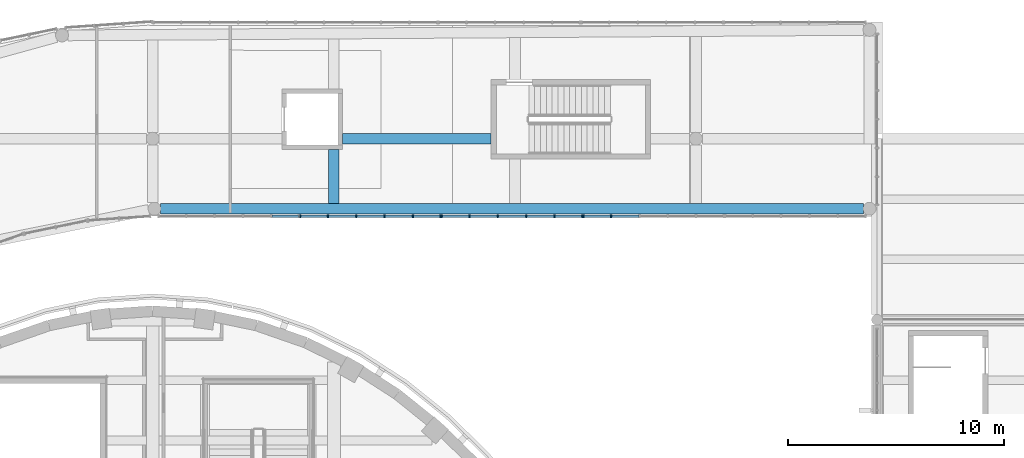
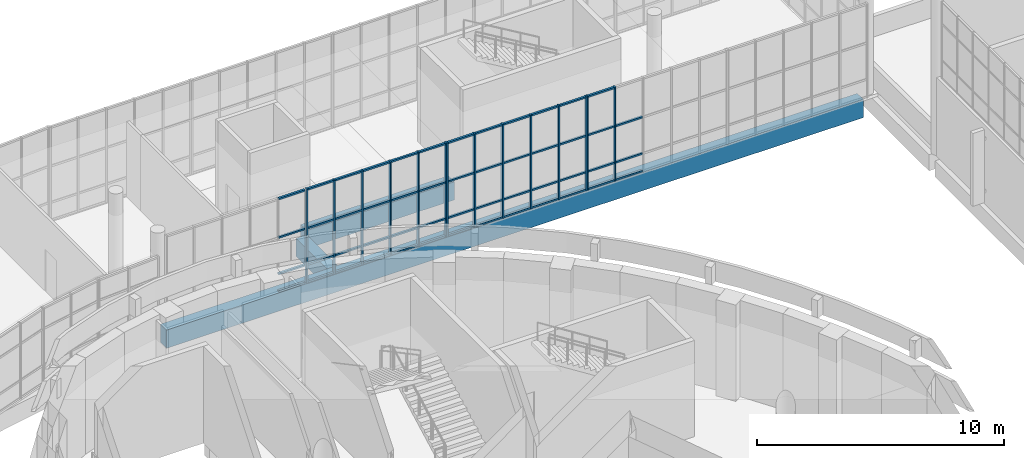
# One storey, part 30 of 119: 65 members, 3 beams, 4 elements without a shape of their own.
"""IFC4 building model written with IfcOpenShell, lengths in metres."""

from ifc_helpers import new_model, si_unit, direction, frame, origin, origin_2d, place, context, subcontext, project, spatial, rectangle, extrude, material, layer, layer_set, material_profile, profile_set, type_object, element, aggregate, save


model = new_model("IFC4")

# Units and contexts
model_context = context("Model", 3, precision=1e-05, world=origin(), true_north=direction((0.0, 1.0)))
body_context = subcontext(model_context, "Body", "Model", "MODEL_VIEW")
ifc_project = project(units=[si_unit("LENGTHUNIT", "METRE"), si_unit("AREAUNIT", "SQUARE_METRE"), si_unit("VOLUMEUNIT", "CUBIC_METRE"), si_unit("PLANEANGLEUNIT", "RADIAN"), si_unit("MASSUNIT", "GRAM", prefix="KILO")], contexts=[model_context])

# Site, building, storey
site_placement = place(None, origin())
site = spatial("IfcSite", under=ifc_project, at=site_placement, CompositionType="ELEMENT")
building_placement = place(site_placement, origin())
building = spatial("IfcBuilding", under=site, at=building_placement, Name="Larchfold Concert Hall", CompositionType="ELEMENT")
storey_placement = place(building_placement, frame((0.0, 0.0, 4.800048828125)))
storey = spatial("IfcBuildingStorey", under=building, at=storey_placement, Name="L01", CompositionType="ELEMENT", Elevation=4.800048828125)

# Curtain wall, members
ifc_material_1 = material(Name="Anodised graphite aluminium curtain wall", Category="aluminium")
ifc_layer = layer(ifc_material_1, 0.14990234375)
ifc_layer_set = layer_set([ifc_layer], Name="Anodised graphite aluminium curtain wall")
curtain_wall_type = type_object("IfcCurtainWallType", Name="Curtain wall WG", PredefinedType="NOTDEFINED", material=ifc_layer_set)
curtain_wall_1_placement = place(storey_placement, origin())
curtain_wall_1 = element("IfcCurtainWall", 1, at=curtain_wall_1_placement, inside=storey, type_object=curtain_wall_type, Name="Curtain wall CW0167", PredefinedType="NOTDEFINED")
ifc_material_2 = material(Name="Anodised graphite aluminium mullion", Category="aluminium")
ifc_material_profile_1 = material_profile(ifc_material_2, rectangle(XDim=0.14990234375, YDim=0.06005859375, at=origin_2d()))
ifc_profile_set_1 = profile_set([ifc_material_profile_1], Name="Anodised graphite aluminium mullion")
member_type_1 = type_object("IfcMemberType", Name="Aluminium mullion 60x150", PredefinedType="MULLION", material=ifc_profile_set_1)
member_1_placement = place(storey_placement, frame((49.44189453125, 123.0, 0.0), z_axis=(0.0, 0.0, 1.0), x_axis=(0.0, 1.0, 0.0)))
member_1 = element("IfcMember", 2, at=member_1_placement, type_object=member_type_1, Name="CW0167 mullion 1", PredefinedType="MULLION", context=body_context, shape_type="SweptSolid", body=[
    extrude(rectangle(XDim=0.14990234375, YDim=0.06005859375, at=origin_2d()), origin(), (0.0, 0.0, 1.0), 4.64990234375),
])
member_2_placement = place(storey_placement, frame((50.725830078125, 123.0, 0.0), z_axis=(0.0, 0.0, 1.0), x_axis=(0.0, 1.0, 0.0)))
member_2 = element("IfcMember", 3, at=member_2_placement, type_object=member_type_1, Name="CW0167 mullion 2", PredefinedType="MULLION", context=body_context, shape_type="SweptSolid", body=[
    extrude(rectangle(XDim=0.14990234375, YDim=0.06005859375, at=origin_2d()), origin(), (0.0, 0.0, 1.0), 4.64990234375),
])
member_3_placement = place(storey_placement, frame((52.039794921875, 123.0, 0.0), z_axis=(0.0, 0.0, 1.0), x_axis=(0.0, 1.0, 0.0)))
member_3 = element("IfcMember", 4, at=member_3_placement, type_object=member_type_1, Name="CW0167 mullion 3", PredefinedType="MULLION", context=body_context, shape_type="SweptSolid", body=[
    extrude(rectangle(XDim=0.14990234375, YDim=0.06005859375, at=origin_2d()), origin(), (0.0, 0.0, 1.0), 4.64990234375),
])
member_4_placement = place(storey_placement, frame((53.35400390625, 123.0, 0.0), z_axis=(0.0, 0.0, 1.0), x_axis=(0.0, 1.0, 0.0)))
member_4 = element("IfcMember", 5, at=member_4_placement, type_object=member_type_1, Name="CW0167 mullion 4", PredefinedType="MULLION", context=body_context, shape_type="SweptSolid", body=[
    extrude(rectangle(XDim=0.14990234375, YDim=0.06005859375, at=origin_2d()), origin(), (0.0, 0.0, 1.0), 4.64990234375),
])
member_5_placement = place(storey_placement, frame((54.66796875, 123.0, 0.0), z_axis=(0.0, 0.0, 1.0), x_axis=(0.0, 1.0, 0.0)))
member_5 = element("IfcMember", 6, at=member_5_placement, type_object=member_type_1, Name="CW0167 mullion 5", PredefinedType="MULLION", context=body_context, shape_type="SweptSolid", body=[
    extrude(rectangle(XDim=0.14990234375, YDim=0.06005859375, at=origin_2d()), origin(), (0.0, 0.0, 1.0), 4.64990234375),
])
member_6_placement = place(storey_placement, frame((55.951904296875, 123.0, 0.0), z_axis=(0.0, 0.0, 1.0), x_axis=(0.0, 1.0, 0.0)))
member_6 = element("IfcMember", 7, at=member_6_placement, type_object=member_type_1, Name="CW0167 mullion 6", PredefinedType="MULLION", context=body_context, shape_type="SweptSolid", body=[
    extrude(rectangle(XDim=0.14990234375, YDim=0.06005859375, at=origin_2d()), origin(), (0.0, 0.0, 1.0), 4.64990234375),
])

curtain_wall_2_placement = place(storey_placement, origin())
curtain_wall_2 = element("IfcCurtainWall", 8, at=curtain_wall_2_placement, inside=storey, type_object=curtain_wall_type, Name="Curtain wall CW0168", PredefinedType="NOTDEFINED")
member_7_placement = place(storey_placement, frame((56.011962890625, 123.0, 0.0), z_axis=(0.0, 0.0, 1.0), x_axis=(0.0, 1.0, 0.0)))
member_7 = element("IfcMember", 9, at=member_7_placement, type_object=member_type_1, Name="CW0168 mullion 1", PredefinedType="MULLION", context=body_context, shape_type="SweptSolid", body=[
    extrude(rectangle(XDim=0.14990234375, YDim=0.06005859375, at=origin_2d()), origin(), (0.0, 0.0, 1.0), 4.64990234375),
])
member_8_placement = place(storey_placement, frame((57.2958984375, 123.0, 0.0), z_axis=(0.0, 0.0, 1.0), x_axis=(0.0, 1.0, 0.0)))
member_8 = element("IfcMember", 10, at=member_8_placement, type_object=member_type_1, Name="CW0168 mullion 2", PredefinedType="MULLION", context=body_context, shape_type="SweptSolid", body=[
    extrude(rectangle(XDim=0.14990234375, YDim=0.06005859375, at=origin_2d()), origin(), (0.0, 0.0, 1.0), 4.64990234375),
])
member_9_placement = place(storey_placement, frame((58.610107421875, 123.0, 0.0), z_axis=(0.0, 0.0, 1.0), x_axis=(0.0, 1.0, 0.0)))
member_9 = element("IfcMember", 11, at=member_9_placement, type_object=member_type_1, Name="CW0168 mullion 3", PredefinedType="MULLION", context=body_context, shape_type="SweptSolid", body=[
    extrude(rectangle(XDim=0.14990234375, YDim=0.06005859375, at=origin_2d()), origin(), (0.0, 0.0, 1.0), 4.64990234375),
])
member_10_placement = place(storey_placement, frame((59.924072265625, 123.0, 0.0), z_axis=(0.0, 0.0, 1.0), x_axis=(0.0, 1.0, 0.0)))
member_10 = element("IfcMember", 12, at=member_10_placement, type_object=member_type_1, Name="CW0168 mullion 4", PredefinedType="MULLION", context=body_context, shape_type="SweptSolid", body=[
    extrude(rectangle(XDim=0.14990234375, YDim=0.06005859375, at=origin_2d()), origin(), (0.0, 0.0, 1.0), 4.64990234375),
])
member_11_placement = place(storey_placement, frame((61.23828125, 123.0, 0.0), z_axis=(0.0, 0.0, 1.0), x_axis=(0.0, 1.0, 0.0)))
member_11 = element("IfcMember", 13, at=member_11_placement, type_object=member_type_1, Name="CW0168 mullion 5", PredefinedType="MULLION", context=body_context, shape_type="SweptSolid", body=[
    extrude(rectangle(XDim=0.14990234375, YDim=0.06005859375, at=origin_2d()), origin(), (0.0, 0.0, 1.0), 4.64990234375),
])
member_12_placement = place(storey_placement, frame((62.522216796875, 123.0, 0.0), z_axis=(0.0, 0.0, 1.0), x_axis=(0.0, 1.0, 0.0)))
member_12 = element("IfcMember", 14, at=member_12_placement, type_object=member_type_1, Name="CW0168 mullion 6", PredefinedType="MULLION", context=body_context, shape_type="SweptSolid", body=[
    extrude(rectangle(XDim=0.14990234375, YDim=0.06005859375, at=origin_2d()), origin(), (0.0, 0.0, 1.0), 4.64990234375),
])

curtain_wall_3_placement = place(storey_placement, origin())
curtain_wall_3 = element("IfcCurtainWall", 15, at=curtain_wall_3_placement, inside=storey, type_object=curtain_wall_type, Name="Curtain wall CW0169", PredefinedType="NOTDEFINED")
member_13_placement = place(storey_placement, frame((62.582275390625, 123.0, 0.0), z_axis=(0.0, 0.0, 1.0), x_axis=(0.0, 1.0, 0.0)))
member_13 = element("IfcMember", 16, at=member_13_placement, type_object=member_type_1, Name="CW0169 mullion 1", PredefinedType="MULLION", context=body_context, shape_type="SweptSolid", body=[
    extrude(rectangle(XDim=0.14990234375, YDim=0.06005859375, at=origin_2d()), origin(), (0.0, 0.0, 1.0), 4.64990234375),
])
member_14_placement = place(storey_placement, frame((63.8662109375, 123.0, 0.0), z_axis=(0.0, 0.0, 1.0), x_axis=(0.0, 1.0, 0.0)))
member_14 = element("IfcMember", 17, at=member_14_placement, type_object=member_type_1, Name="CW0169 mullion 2", PredefinedType="MULLION", context=body_context, shape_type="SweptSolid", body=[
    extrude(rectangle(XDim=0.14990234375, YDim=0.06005859375, at=origin_2d()), origin(), (0.0, 0.0, 1.0), 4.64990234375),
])

curtain_wall_4_placement = place(storey_placement, origin())
curtain_wall_4 = element("IfcCurtainWall", 18, at=curtain_wall_4_placement, inside=storey, type_object=curtain_wall_type, Name="Curtain wall CW0166", PredefinedType="NOTDEFINED")
ifc_material_3 = material(Name="Anodised graphite aluminium transom", Category="aluminium")
ifc_material_profile_2 = material_profile(ifc_material_3, rectangle(XDim=0.10009765625, YDim=0.080078125, at=origin_2d()))
ifc_profile_set_2 = profile_set([ifc_material_profile_2], Name="Anodised graphite aluminium transom")
member_type_2 = type_object("IfcMemberType", Name="Aluminium transom 80x100", PredefinedType="USERDEFINED", material=ifc_profile_set_2)
member_15_placement = place(storey_placement, frame((48.127685546875, 123.0, 0.0400390625), z_axis=(1.0, 0.0, 0.0), x_axis=(0.0, 1.0, 0.0)))
member_15 = element("IfcMember", 19, at=member_15_placement, type_object=member_type_2, Name="CW0166 transom 5.1", ObjectType="TRANSOM", PredefinedType="USERDEFINED", context=body_context, shape_type="SweptSolid", body=[
    extrude(rectangle(XDim=0.10009765625, YDim=0.080078125, at=origin_2d()), origin(), (0.0, 0.0, 1.0), 1.22412109375),
])
member_16_placement = place(storey_placement, frame((48.127685546875, 123.0, 0.89990234375), z_axis=(1.0, 0.0, 0.0), x_axis=(0.0, 1.0, 0.0)))
member_16 = element("IfcMember", 20, at=member_16_placement, type_object=member_type_2, Name="CW0166 transom 5.2", ObjectType="TRANSOM", PredefinedType="USERDEFINED", context=body_context, shape_type="SweptSolid", body=[
    extrude(rectangle(XDim=0.10009765625, YDim=0.080078125, at=origin_2d()), origin(), (0.0, 0.0, 1.0), 1.22412109375),
])
member_17_placement = place(storey_placement, frame((48.127685546875, 123.0, 2.699951171875), z_axis=(1.0, 0.0, 0.0), x_axis=(0.0, 1.0, 0.0)))
member_17 = element("IfcMember", 21, at=member_17_placement, type_object=member_type_2, Name="CW0166 transom 5.3", ObjectType="TRANSOM", PredefinedType="USERDEFINED", context=body_context, shape_type="SweptSolid", body=[
    extrude(rectangle(XDim=0.10009765625, YDim=0.080078125, at=origin_2d()), origin(), (0.0, 0.0, 1.0), 1.22412109375),
])
member_18_placement = place(storey_placement, frame((48.127685546875, 123.0, 4.60986328125), z_axis=(1.0, 0.0, 0.0), x_axis=(0.0, 1.0, 0.0)))
member_18 = element("IfcMember", 22, at=member_18_placement, type_object=member_type_2, Name="CW0166 transom 5.4", ObjectType="TRANSOM", PredefinedType="USERDEFINED", context=body_context, shape_type="SweptSolid", body=[
    extrude(rectangle(XDim=0.10009765625, YDim=0.080078125, at=origin_2d()), origin(), (0.0, 0.0, 1.0), 1.22412109375),
])
aggregate(curtain_wall_4, [member_15, member_16, member_17, member_18])

# Member
member_19_placement = place(storey_placement, frame((49.471923828125, 123.0, 0.0400390625), z_axis=(1.0, 0.0, 0.0), x_axis=(0.0, 1.0, 0.0)))
member_19 = element("IfcMember", 23, at=member_19_placement, type_object=member_type_2, Name="CW0167 transom 1.1", ObjectType="TRANSOM", PredefinedType="USERDEFINED", context=body_context, shape_type="SweptSolid", body=[
    extrude(rectangle(XDim=0.10009765625, YDim=0.080078125, at=origin_2d()), origin(), (0.0, 0.0, 1.0), 1.223876953125),
])

member_20_placement = place(storey_placement, frame((49.471923828125, 123.0, 0.89990234375), z_axis=(1.0, 0.0, 0.0), x_axis=(0.0, 1.0, 0.0)))
member_20 = element("IfcMember", 24, at=member_20_placement, type_object=member_type_2, Name="CW0167 transom 1.2", ObjectType="TRANSOM", PredefinedType="USERDEFINED", context=body_context, shape_type="SweptSolid", body=[
    extrude(rectangle(XDim=0.10009765625, YDim=0.080078125, at=origin_2d()), origin(), (0.0, 0.0, 1.0), 1.223876953125),
])

member_21_placement = place(storey_placement, frame((49.471923828125, 123.0, 2.699951171875), z_axis=(1.0, 0.0, 0.0), x_axis=(0.0, 1.0, 0.0)))
member_21 = element("IfcMember", 25, at=member_21_placement, type_object=member_type_2, Name="CW0167 transom 1.3", ObjectType="TRANSOM", PredefinedType="USERDEFINED", context=body_context, shape_type="SweptSolid", body=[
    extrude(rectangle(XDim=0.10009765625, YDim=0.080078125, at=origin_2d()), origin(), (0.0, 0.0, 1.0), 1.223876953125),
])

member_22_placement = place(storey_placement, frame((49.471923828125, 123.0, 4.60986328125), z_axis=(1.0, 0.0, 0.0), x_axis=(0.0, 1.0, 0.0)))
member_22 = element("IfcMember", 26, at=member_22_placement, type_object=member_type_2, Name="CW0167 transom 1.4", ObjectType="TRANSOM", PredefinedType="USERDEFINED", context=body_context, shape_type="SweptSolid", body=[
    extrude(rectangle(XDim=0.10009765625, YDim=0.080078125, at=origin_2d()), origin(), (0.0, 0.0, 1.0), 1.223876953125),
])

member_23_placement = place(storey_placement, frame((50.755859375, 123.0, 0.0400390625), z_axis=(1.0, 0.0, 0.0), x_axis=(0.0, 1.0, 0.0)))
member_23 = element("IfcMember", 27, at=member_23_placement, type_object=member_type_2, Name="CW0167 transom 2.1", ObjectType="TRANSOM", PredefinedType="USERDEFINED", context=body_context, shape_type="SweptSolid", body=[
    extrude(rectangle(XDim=0.10009765625, YDim=0.080078125, at=origin_2d()), origin(), (0.0, 0.0, 1.0), 1.254150390625),
])

member_24_placement = place(storey_placement, frame((50.755859375, 123.0, 0.89990234375), z_axis=(1.0, 0.0, 0.0), x_axis=(0.0, 1.0, 0.0)))
member_24 = element("IfcMember", 28, at=member_24_placement, type_object=member_type_2, Name="CW0167 transom 2.2", ObjectType="TRANSOM", PredefinedType="USERDEFINED", context=body_context, shape_type="SweptSolid", body=[
    extrude(rectangle(XDim=0.10009765625, YDim=0.080078125, at=origin_2d()), origin(), (0.0, 0.0, 1.0), 1.254150390625),
])

member_25_placement = place(storey_placement, frame((50.755859375, 123.0, 2.699951171875), z_axis=(1.0, 0.0, 0.0), x_axis=(0.0, 1.0, 0.0)))
member_25 = element("IfcMember", 29, at=member_25_placement, type_object=member_type_2, Name="CW0167 transom 2.3", ObjectType="TRANSOM", PredefinedType="USERDEFINED", context=body_context, shape_type="SweptSolid", body=[
    extrude(rectangle(XDim=0.10009765625, YDim=0.080078125, at=origin_2d()), origin(), (0.0, 0.0, 1.0), 1.254150390625),
])

member_26_placement = place(storey_placement, frame((50.755859375, 123.0, 4.60986328125), z_axis=(1.0, 0.0, 0.0), x_axis=(0.0, 1.0, 0.0)))
member_26 = element("IfcMember", 30, at=member_26_placement, type_object=member_type_2, Name="CW0167 transom 2.4", ObjectType="TRANSOM", PredefinedType="USERDEFINED", context=body_context, shape_type="SweptSolid", body=[
    extrude(rectangle(XDim=0.10009765625, YDim=0.080078125, at=origin_2d()), origin(), (0.0, 0.0, 1.0), 1.254150390625),
])

member_27_placement = place(storey_placement, frame((52.06982421875, 123.0, 0.0400390625), z_axis=(1.0, 0.0, 0.0), x_axis=(0.0, 1.0, 0.0)))
member_27 = element("IfcMember", 31, at=member_27_placement, type_object=member_type_2, Name="CW0167 transom 3.1", ObjectType="TRANSOM", PredefinedType="USERDEFINED", context=body_context, shape_type="SweptSolid", body=[
    extrude(rectangle(XDim=0.10009765625, YDim=0.080078125, at=origin_2d()), origin(), (0.0, 0.0, 1.0), 1.254150390625),
])

member_28_placement = place(storey_placement, frame((52.06982421875, 123.0, 0.89990234375), z_axis=(1.0, 0.0, 0.0), x_axis=(0.0, 1.0, 0.0)))
member_28 = element("IfcMember", 32, at=member_28_placement, type_object=member_type_2, Name="CW0167 transom 3.2", ObjectType="TRANSOM", PredefinedType="USERDEFINED", context=body_context, shape_type="SweptSolid", body=[
    extrude(rectangle(XDim=0.10009765625, YDim=0.080078125, at=origin_2d()), origin(), (0.0, 0.0, 1.0), 1.254150390625),
])

member_29_placement = place(storey_placement, frame((52.06982421875, 123.0, 2.699951171875), z_axis=(1.0, 0.0, 0.0), x_axis=(0.0, 1.0, 0.0)))
member_29 = element("IfcMember", 33, at=member_29_placement, type_object=member_type_2, Name="CW0167 transom 3.3", ObjectType="TRANSOM", PredefinedType="USERDEFINED", context=body_context, shape_type="SweptSolid", body=[
    extrude(rectangle(XDim=0.10009765625, YDim=0.080078125, at=origin_2d()), origin(), (0.0, 0.0, 1.0), 1.254150390625),
])

member_30_placement = place(storey_placement, frame((52.06982421875, 123.0, 4.60986328125), z_axis=(1.0, 0.0, 0.0), x_axis=(0.0, 1.0, 0.0)))
member_30 = element("IfcMember", 34, at=member_30_placement, type_object=member_type_2, Name="CW0167 transom 3.4", ObjectType="TRANSOM", PredefinedType="USERDEFINED", context=body_context, shape_type="SweptSolid", body=[
    extrude(rectangle(XDim=0.10009765625, YDim=0.080078125, at=origin_2d()), origin(), (0.0, 0.0, 1.0), 1.254150390625),
])

member_31_placement = place(storey_placement, frame((53.3837890625, 123.0, 0.0400390625), z_axis=(1.0, 0.0, 0.0), x_axis=(0.0, 1.0, 0.0)))
member_31 = element("IfcMember", 35, at=member_31_placement, type_object=member_type_2, Name="CW0167 transom 4.1", ObjectType="TRANSOM", PredefinedType="USERDEFINED", context=body_context, shape_type="SweptSolid", body=[
    extrude(rectangle(XDim=0.10009765625, YDim=0.080078125, at=origin_2d()), origin(), (0.0, 0.0, 1.0), 1.254150390625),
])

member_32_placement = place(storey_placement, frame((53.3837890625, 123.0, 0.89990234375), z_axis=(1.0, 0.0, 0.0), x_axis=(0.0, 1.0, 0.0)))
member_32 = element("IfcMember", 36, at=member_32_placement, type_object=member_type_2, Name="CW0167 transom 4.2", ObjectType="TRANSOM", PredefinedType="USERDEFINED", context=body_context, shape_type="SweptSolid", body=[
    extrude(rectangle(XDim=0.10009765625, YDim=0.080078125, at=origin_2d()), origin(), (0.0, 0.0, 1.0), 1.254150390625),
])

member_33_placement = place(storey_placement, frame((53.3837890625, 123.0, 2.699951171875), z_axis=(1.0, 0.0, 0.0), x_axis=(0.0, 1.0, 0.0)))
member_33 = element("IfcMember", 37, at=member_33_placement, type_object=member_type_2, Name="CW0167 transom 4.3", ObjectType="TRANSOM", PredefinedType="USERDEFINED", context=body_context, shape_type="SweptSolid", body=[
    extrude(rectangle(XDim=0.10009765625, YDim=0.080078125, at=origin_2d()), origin(), (0.0, 0.0, 1.0), 1.254150390625),
])

member_34_placement = place(storey_placement, frame((53.3837890625, 123.0, 4.60986328125), z_axis=(1.0, 0.0, 0.0), x_axis=(0.0, 1.0, 0.0)))
member_34 = element("IfcMember", 38, at=member_34_placement, type_object=member_type_2, Name="CW0167 transom 4.4", ObjectType="TRANSOM", PredefinedType="USERDEFINED", context=body_context, shape_type="SweptSolid", body=[
    extrude(rectangle(XDim=0.10009765625, YDim=0.080078125, at=origin_2d()), origin(), (0.0, 0.0, 1.0), 1.254150390625),
])

member_35_placement = place(storey_placement, frame((54.697998046875, 123.0, 0.0400390625), z_axis=(1.0, 0.0, 0.0), x_axis=(0.0, 1.0, 0.0)))
member_35 = element("IfcMember", 39, at=member_35_placement, type_object=member_type_2, Name="CW0167 transom 5.1", ObjectType="TRANSOM", PredefinedType="USERDEFINED", context=body_context, shape_type="SweptSolid", body=[
    extrude(rectangle(XDim=0.10009765625, YDim=0.080078125, at=origin_2d()), origin(), (0.0, 0.0, 1.0), 1.223876953125),
])

member_36_placement = place(storey_placement, frame((54.697998046875, 123.0, 0.89990234375), z_axis=(1.0, 0.0, 0.0), x_axis=(0.0, 1.0, 0.0)))
member_36 = element("IfcMember", 40, at=member_36_placement, type_object=member_type_2, Name="CW0167 transom 5.2", ObjectType="TRANSOM", PredefinedType="USERDEFINED", context=body_context, shape_type="SweptSolid", body=[
    extrude(rectangle(XDim=0.10009765625, YDim=0.080078125, at=origin_2d()), origin(), (0.0, 0.0, 1.0), 1.223876953125),
])

member_37_placement = place(storey_placement, frame((54.697998046875, 123.0, 2.699951171875), z_axis=(1.0, 0.0, 0.0), x_axis=(0.0, 1.0, 0.0)))
member_37 = element("IfcMember", 41, at=member_37_placement, type_object=member_type_2, Name="CW0167 transom 5.3", ObjectType="TRANSOM", PredefinedType="USERDEFINED", context=body_context, shape_type="SweptSolid", body=[
    extrude(rectangle(XDim=0.10009765625, YDim=0.080078125, at=origin_2d()), origin(), (0.0, 0.0, 1.0), 1.223876953125),
])

member_38_placement = place(storey_placement, frame((54.697998046875, 123.0, 4.60986328125), z_axis=(1.0, 0.0, 0.0), x_axis=(0.0, 1.0, 0.0)))
member_38 = element("IfcMember", 42, at=member_38_placement, type_object=member_type_2, Name="CW0167 transom 5.4", ObjectType="TRANSOM", PredefinedType="USERDEFINED", context=body_context, shape_type="SweptSolid", body=[
    extrude(rectangle(XDim=0.10009765625, YDim=0.080078125, at=origin_2d()), origin(), (0.0, 0.0, 1.0), 1.223876953125),
])

aggregate(curtain_wall_1, [member_1, member_2, member_3, member_4, member_5, member_6, member_19, member_20, member_21, member_22, member_23, member_24, member_25, member_26, member_27, member_28, member_29, member_30, member_31, member_32, member_33, member_34, member_35, member_36, member_37, member_38])

member_39_placement = place(storey_placement, frame((56.0419921875, 123.0, 0.0400390625), z_axis=(1.0, 0.0, 0.0), x_axis=(0.0, 1.0, 0.0)))
member_39 = element("IfcMember", 43, at=member_39_placement, type_object=member_type_2, Name="CW0168 transom 1.1", ObjectType="TRANSOM", PredefinedType="USERDEFINED", context=body_context, shape_type="SweptSolid", body=[
    extrude(rectangle(XDim=0.10009765625, YDim=0.080078125, at=origin_2d()), origin(), (0.0, 0.0, 1.0), 1.22412109375),
])

member_40_placement = place(storey_placement, frame((56.0419921875, 123.0, 0.89990234375), z_axis=(1.0, 0.0, 0.0), x_axis=(0.0, 1.0, 0.0)))
member_40 = element("IfcMember", 44, at=member_40_placement, type_object=member_type_2, Name="CW0168 transom 1.2", ObjectType="TRANSOM", PredefinedType="USERDEFINED", context=body_context, shape_type="SweptSolid", body=[
    extrude(rectangle(XDim=0.10009765625, YDim=0.080078125, at=origin_2d()), origin(), (0.0, 0.0, 1.0), 1.22412109375),
])

member_41_placement = place(storey_placement, frame((56.0419921875, 123.0, 2.699951171875), z_axis=(1.0, 0.0, 0.0), x_axis=(0.0, 1.0, 0.0)))
member_41 = element("IfcMember", 45, at=member_41_placement, type_object=member_type_2, Name="CW0168 transom 1.3", ObjectType="TRANSOM", PredefinedType="USERDEFINED", context=body_context, shape_type="SweptSolid", body=[
    extrude(rectangle(XDim=0.10009765625, YDim=0.080078125, at=origin_2d()), origin(), (0.0, 0.0, 1.0), 1.22412109375),
])

member_42_placement = place(storey_placement, frame((56.0419921875, 123.0, 4.60986328125), z_axis=(1.0, 0.0, 0.0), x_axis=(0.0, 1.0, 0.0)))
member_42 = element("IfcMember", 46, at=member_42_placement, type_object=member_type_2, Name="CW0168 transom 1.4", ObjectType="TRANSOM", PredefinedType="USERDEFINED", context=body_context, shape_type="SweptSolid", body=[
    extrude(rectangle(XDim=0.10009765625, YDim=0.080078125, at=origin_2d()), origin(), (0.0, 0.0, 1.0), 1.22412109375),
])

member_43_placement = place(storey_placement, frame((57.325927734375, 123.0, 0.0400390625), z_axis=(1.0, 0.0, 0.0), x_axis=(0.0, 1.0, 0.0)))
member_43 = element("IfcMember", 47, at=member_43_placement, type_object=member_type_2, Name="CW0168 transom 2.1", ObjectType="TRANSOM", PredefinedType="USERDEFINED", context=body_context, shape_type="SweptSolid", body=[
    extrude(rectangle(XDim=0.10009765625, YDim=0.080078125, at=origin_2d()), origin(), (0.0, 0.0, 1.0), 1.254150390625),
])

member_44_placement = place(storey_placement, frame((57.325927734375, 123.0, 0.89990234375), z_axis=(1.0, 0.0, 0.0), x_axis=(0.0, 1.0, 0.0)))
member_44 = element("IfcMember", 48, at=member_44_placement, type_object=member_type_2, Name="CW0168 transom 2.2", ObjectType="TRANSOM", PredefinedType="USERDEFINED", context=body_context, shape_type="SweptSolid", body=[
    extrude(rectangle(XDim=0.10009765625, YDim=0.080078125, at=origin_2d()), origin(), (0.0, 0.0, 1.0), 1.254150390625),
])

member_45_placement = place(storey_placement, frame((57.325927734375, 123.0, 2.699951171875), z_axis=(1.0, 0.0, 0.0), x_axis=(0.0, 1.0, 0.0)))
member_45 = element("IfcMember", 49, at=member_45_placement, type_object=member_type_2, Name="CW0168 transom 2.3", ObjectType="TRANSOM", PredefinedType="USERDEFINED", context=body_context, shape_type="SweptSolid", body=[
    extrude(rectangle(XDim=0.10009765625, YDim=0.080078125, at=origin_2d()), origin(), (0.0, 0.0, 1.0), 1.254150390625),
])

member_46_placement = place(storey_placement, frame((57.325927734375, 123.0, 4.60986328125), z_axis=(1.0, 0.0, 0.0), x_axis=(0.0, 1.0, 0.0)))
member_46 = element("IfcMember", 50, at=member_46_placement, type_object=member_type_2, Name="CW0168 transom 2.4", ObjectType="TRANSOM", PredefinedType="USERDEFINED", context=body_context, shape_type="SweptSolid", body=[
    extrude(rectangle(XDim=0.10009765625, YDim=0.080078125, at=origin_2d()), origin(), (0.0, 0.0, 1.0), 1.254150390625),
])

member_47_placement = place(storey_placement, frame((58.64013671875, 123.0, 0.0400390625), z_axis=(1.0, 0.0, 0.0), x_axis=(0.0, 1.0, 0.0)))
member_47 = element("IfcMember", 51, at=member_47_placement, type_object=member_type_2, Name="CW0168 transom 3.1", ObjectType="TRANSOM", PredefinedType="USERDEFINED", context=body_context, shape_type="SweptSolid", body=[
    extrude(rectangle(XDim=0.10009765625, YDim=0.080078125, at=origin_2d()), origin(), (0.0, 0.0, 1.0), 1.25390625),
])

member_48_placement = place(storey_placement, frame((58.64013671875, 123.0, 0.89990234375), z_axis=(1.0, 0.0, 0.0), x_axis=(0.0, 1.0, 0.0)))
member_48 = element("IfcMember", 52, at=member_48_placement, type_object=member_type_2, Name="CW0168 transom 3.2", ObjectType="TRANSOM", PredefinedType="USERDEFINED", context=body_context, shape_type="SweptSolid", body=[
    extrude(rectangle(XDim=0.10009765625, YDim=0.080078125, at=origin_2d()), origin(), (0.0, 0.0, 1.0), 1.25390625),
])

member_49_placement = place(storey_placement, frame((58.64013671875, 123.0, 2.699951171875), z_axis=(1.0, 0.0, 0.0), x_axis=(0.0, 1.0, 0.0)))
member_49 = element("IfcMember", 53, at=member_49_placement, type_object=member_type_2, Name="CW0168 transom 3.3", ObjectType="TRANSOM", PredefinedType="USERDEFINED", context=body_context, shape_type="SweptSolid", body=[
    extrude(rectangle(XDim=0.10009765625, YDim=0.080078125, at=origin_2d()), origin(), (0.0, 0.0, 1.0), 1.25390625),
])

member_50_placement = place(storey_placement, frame((58.64013671875, 123.0, 4.60986328125), z_axis=(1.0, 0.0, 0.0), x_axis=(0.0, 1.0, 0.0)))
member_50 = element("IfcMember", 54, at=member_50_placement, type_object=member_type_2, Name="CW0168 transom 3.4", ObjectType="TRANSOM", PredefinedType="USERDEFINED", context=body_context, shape_type="SweptSolid", body=[
    extrude(rectangle(XDim=0.10009765625, YDim=0.080078125, at=origin_2d()), origin(), (0.0, 0.0, 1.0), 1.25390625),
])

member_51_placement = place(storey_placement, frame((59.9541015625, 123.0, 0.0400390625), z_axis=(1.0, 0.0, 0.0), x_axis=(0.0, 1.0, 0.0)))
member_51 = element("IfcMember", 55, at=member_51_placement, type_object=member_type_2, Name="CW0168 transom 4.1", ObjectType="TRANSOM", PredefinedType="USERDEFINED", context=body_context, shape_type="SweptSolid", body=[
    extrude(rectangle(XDim=0.10009765625, YDim=0.080078125, at=origin_2d()), origin(), (0.0, 0.0, 1.0), 1.254150390625),
])

member_52_placement = place(storey_placement, frame((59.9541015625, 123.0, 0.89990234375), z_axis=(1.0, 0.0, 0.0), x_axis=(0.0, 1.0, 0.0)))
member_52 = element("IfcMember", 56, at=member_52_placement, type_object=member_type_2, Name="CW0168 transom 4.2", ObjectType="TRANSOM", PredefinedType="USERDEFINED", context=body_context, shape_type="SweptSolid", body=[
    extrude(rectangle(XDim=0.10009765625, YDim=0.080078125, at=origin_2d()), origin(), (0.0, 0.0, 1.0), 1.254150390625),
])

member_53_placement = place(storey_placement, frame((59.9541015625, 123.0, 2.699951171875), z_axis=(1.0, 0.0, 0.0), x_axis=(0.0, 1.0, 0.0)))
member_53 = element("IfcMember", 57, at=member_53_placement, type_object=member_type_2, Name="CW0168 transom 4.3", ObjectType="TRANSOM", PredefinedType="USERDEFINED", context=body_context, shape_type="SweptSolid", body=[
    extrude(rectangle(XDim=0.10009765625, YDim=0.080078125, at=origin_2d()), origin(), (0.0, 0.0, 1.0), 1.254150390625),
])

member_54_placement = place(storey_placement, frame((59.9541015625, 123.0, 4.60986328125), z_axis=(1.0, 0.0, 0.0), x_axis=(0.0, 1.0, 0.0)))
member_54 = element("IfcMember", 58, at=member_54_placement, type_object=member_type_2, Name="CW0168 transom 4.4", ObjectType="TRANSOM", PredefinedType="USERDEFINED", context=body_context, shape_type="SweptSolid", body=[
    extrude(rectangle(XDim=0.10009765625, YDim=0.080078125, at=origin_2d()), origin(), (0.0, 0.0, 1.0), 1.254150390625),
])

member_55_placement = place(storey_placement, frame((61.26806640625, 123.0, 0.0400390625), z_axis=(1.0, 0.0, 0.0), x_axis=(0.0, 1.0, 0.0)))
member_55 = element("IfcMember", 59, at=member_55_placement, type_object=member_type_2, Name="CW0168 transom 5.1", ObjectType="TRANSOM", PredefinedType="USERDEFINED", context=body_context, shape_type="SweptSolid", body=[
    extrude(rectangle(XDim=0.10009765625, YDim=0.080078125, at=origin_2d()), origin(), (0.0, 0.0, 1.0), 1.22412109375),
])

member_56_placement = place(storey_placement, frame((61.26806640625, 123.0, 0.89990234375), z_axis=(1.0, 0.0, 0.0), x_axis=(0.0, 1.0, 0.0)))
member_56 = element("IfcMember", 60, at=member_56_placement, type_object=member_type_2, Name="CW0168 transom 5.2", ObjectType="TRANSOM", PredefinedType="USERDEFINED", context=body_context, shape_type="SweptSolid", body=[
    extrude(rectangle(XDim=0.10009765625, YDim=0.080078125, at=origin_2d()), origin(), (0.0, 0.0, 1.0), 1.22412109375),
])

member_57_placement = place(storey_placement, frame((61.26806640625, 123.0, 2.699951171875), z_axis=(1.0, 0.0, 0.0), x_axis=(0.0, 1.0, 0.0)))
member_57 = element("IfcMember", 61, at=member_57_placement, type_object=member_type_2, Name="CW0168 transom 5.3", ObjectType="TRANSOM", PredefinedType="USERDEFINED", context=body_context, shape_type="SweptSolid", body=[
    extrude(rectangle(XDim=0.10009765625, YDim=0.080078125, at=origin_2d()), origin(), (0.0, 0.0, 1.0), 1.22412109375),
])

member_58_placement = place(storey_placement, frame((61.26806640625, 123.0, 4.60986328125), z_axis=(1.0, 0.0, 0.0), x_axis=(0.0, 1.0, 0.0)))
member_58 = element("IfcMember", 62, at=member_58_placement, type_object=member_type_2, Name="CW0168 transom 5.4", ObjectType="TRANSOM", PredefinedType="USERDEFINED", context=body_context, shape_type="SweptSolid", body=[
    extrude(rectangle(XDim=0.10009765625, YDim=0.080078125, at=origin_2d()), origin(), (0.0, 0.0, 1.0), 1.22412109375),
])

aggregate(curtain_wall_2, [member_7, member_8, member_9, member_10, member_11, member_12, member_39, member_40, member_41, member_42, member_43, member_44, member_45, member_46, member_47, member_48, member_49, member_50, member_51, member_52, member_53, member_54, member_55, member_56, member_57, member_58])

member_59_placement = place(storey_placement, frame((62.6123046875, 123.0, 0.0400390625), z_axis=(1.0, 0.0, 0.0), x_axis=(0.0, 1.0, 0.0)))
member_59 = element("IfcMember", 63, at=member_59_placement, type_object=member_type_2, Name="CW0169 transom 1.1", ObjectType="TRANSOM", PredefinedType="USERDEFINED", context=body_context, shape_type="SweptSolid", body=[
    extrude(rectangle(XDim=0.10009765625, YDim=0.080078125, at=origin_2d()), origin(), (0.0, 0.0, 1.0), 1.223876953125),
])

member_60_placement = place(storey_placement, frame((62.6123046875, 123.0, 0.89990234375), z_axis=(1.0, 0.0, 0.0), x_axis=(0.0, 1.0, 0.0)))
member_60 = element("IfcMember", 64, at=member_60_placement, type_object=member_type_2, Name="CW0169 transom 1.2", ObjectType="TRANSOM", PredefinedType="USERDEFINED", context=body_context, shape_type="SweptSolid", body=[
    extrude(rectangle(XDim=0.10009765625, YDim=0.080078125, at=origin_2d()), origin(), (0.0, 0.0, 1.0), 1.223876953125),
])

member_61_placement = place(storey_placement, frame((62.6123046875, 123.0, 2.699951171875), z_axis=(1.0, 0.0, 0.0), x_axis=(0.0, 1.0, 0.0)))
member_61 = element("IfcMember", 65, at=member_61_placement, type_object=member_type_2, Name="CW0169 transom 1.3", ObjectType="TRANSOM", PredefinedType="USERDEFINED", context=body_context, shape_type="SweptSolid", body=[
    extrude(rectangle(XDim=0.10009765625, YDim=0.080078125, at=origin_2d()), origin(), (0.0, 0.0, 1.0), 1.223876953125),
])

member_62_placement = place(storey_placement, frame((62.6123046875, 123.0, 4.60986328125), z_axis=(1.0, 0.0, 0.0), x_axis=(0.0, 1.0, 0.0)))
member_62 = element("IfcMember", 66, at=member_62_placement, type_object=member_type_2, Name="CW0169 transom 1.4", ObjectType="TRANSOM", PredefinedType="USERDEFINED", context=body_context, shape_type="SweptSolid", body=[
    extrude(rectangle(XDim=0.10009765625, YDim=0.080078125, at=origin_2d()), origin(), (0.0, 0.0, 1.0), 1.223876953125),
])

member_63_placement = place(storey_placement, frame((63.896240234375, 123.0, 0.0400390625), z_axis=(1.0, 0.0, 0.0), x_axis=(0.0, 1.0, 0.0)))
member_63 = element("IfcMember", 67, at=member_63_placement, type_object=member_type_2, Name="CW0169 transom 2.1", ObjectType="TRANSOM", PredefinedType="USERDEFINED", context=body_context, shape_type="SweptSolid", body=[
    extrude(rectangle(XDim=0.10009765625, YDim=0.080078125, at=origin_2d()), origin(), (0.0, 0.0, 1.0), 1.254150390625),
])

member_64_placement = place(storey_placement, frame((63.896240234375, 123.0, 0.89990234375), z_axis=(1.0, 0.0, 0.0), x_axis=(0.0, 1.0, 0.0)))
member_64 = element("IfcMember", 68, at=member_64_placement, type_object=member_type_2, Name="CW0169 transom 2.2", ObjectType="TRANSOM", PredefinedType="USERDEFINED", context=body_context, shape_type="SweptSolid", body=[
    extrude(rectangle(XDim=0.10009765625, YDim=0.080078125, at=origin_2d()), origin(), (0.0, 0.0, 1.0), 1.254150390625),
])

member_65_placement = place(storey_placement, frame((63.896240234375, 123.0, 2.699951171875), z_axis=(1.0, 0.0, 0.0), x_axis=(0.0, 1.0, 0.0)))
member_65 = element("IfcMember", 69, at=member_65_placement, type_object=member_type_2, Name="CW0169 transom 2.3", ObjectType="TRANSOM", PredefinedType="USERDEFINED", context=body_context, shape_type="SweptSolid", body=[
    extrude(rectangle(XDim=0.10009765625, YDim=0.080078125, at=origin_2d()), origin(), (0.0, 0.0, 1.0), 1.254150390625),
])

aggregate(curtain_wall_3, [member_13, member_14, member_59, member_60, member_61, member_62, member_63, member_64, member_65])

# Beams
ifc_material_4 = material(Name="Concrete C35/45", Category="concrete")
ifc_material_profile_3 = material_profile(ifc_material_4, rectangle(XDim=0.5, YDim=0.89990234375, at=origin_2d()))
ifc_profile_set_3 = profile_set([ifc_material_profile_3], Name="Concrete C35/45")
beam_type = type_object("IfcBeamType", Name="Beam RC 500x900", PredefinedType="BEAM", material=ifc_profile_set_3)
beam_1_placement = place(storey_placement, frame((75.570068359375, 123.35009765625, -0.60009765625), z_axis=(-1.0, 0.0, 0.0), x_axis=(0.0, -1.0, 0.0)))
element("IfcBeam", 70, at=beam_1_placement, inside=storey, type_object=beam_type, Name="Beam B1881", PredefinedType="BEAM", context=body_context, shape_type="SweptSolid", body=[
    extrude(rectangle(XDim=0.5, YDim=0.89990234375, at=origin_2d()), origin(), (0.0, 0.0, 1.0), 32.60595703125),
])
beam_2_placement = place(storey_placement, frame((51.0, 123.60009765625, -0.60009765625), z_axis=(0.0, 1.0, 0.0), x_axis=(-1.0, 0.0, 0.0)))
element("IfcBeam", 71, at=beam_2_placement, inside=storey, type_object=beam_type, Name="Beam B1905", PredefinedType="BEAM", context=body_context, shape_type="SweptSolid", body=[
    extrude(rectangle(XDim=0.5, YDim=0.89990234375, at=origin_2d()), origin(), (0.0, 0.0, 1.0), 2.5),
])
beam_3_placement = place(storey_placement, frame((51.39990234375, 126.60009765625, -0.60009765625), z_axis=(1.0, 0.0, 0.0), x_axis=(0.0, 1.0, 0.0)))
element("IfcBeam", 72, at=beam_3_placement, inside=storey, type_object=beam_type, Name="Beam B1933", PredefinedType="BEAM", context=body_context, shape_type="SweptSolid", body=[
    extrude(rectangle(XDim=0.5, YDim=0.89990234375, at=origin_2d()), origin(), (0.0, 0.0, 1.0), 6.900146484375),
])

save(model, "model.ifc")
